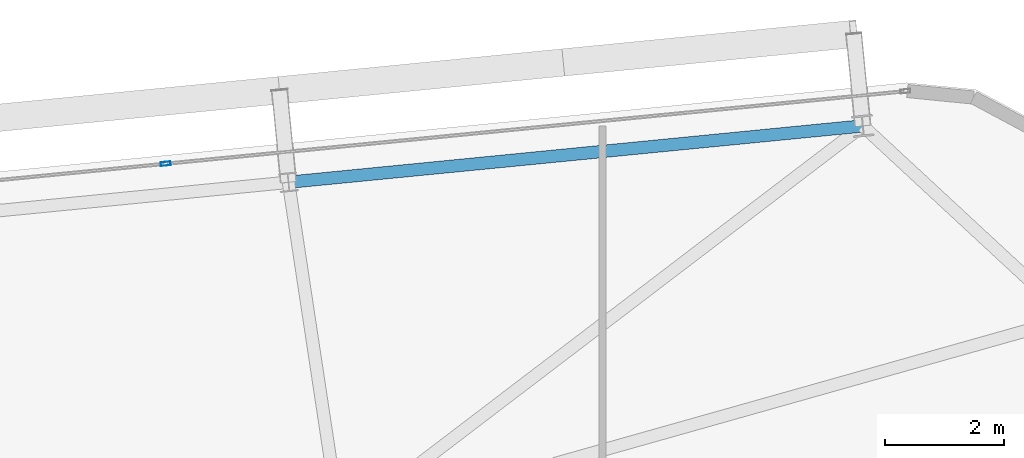
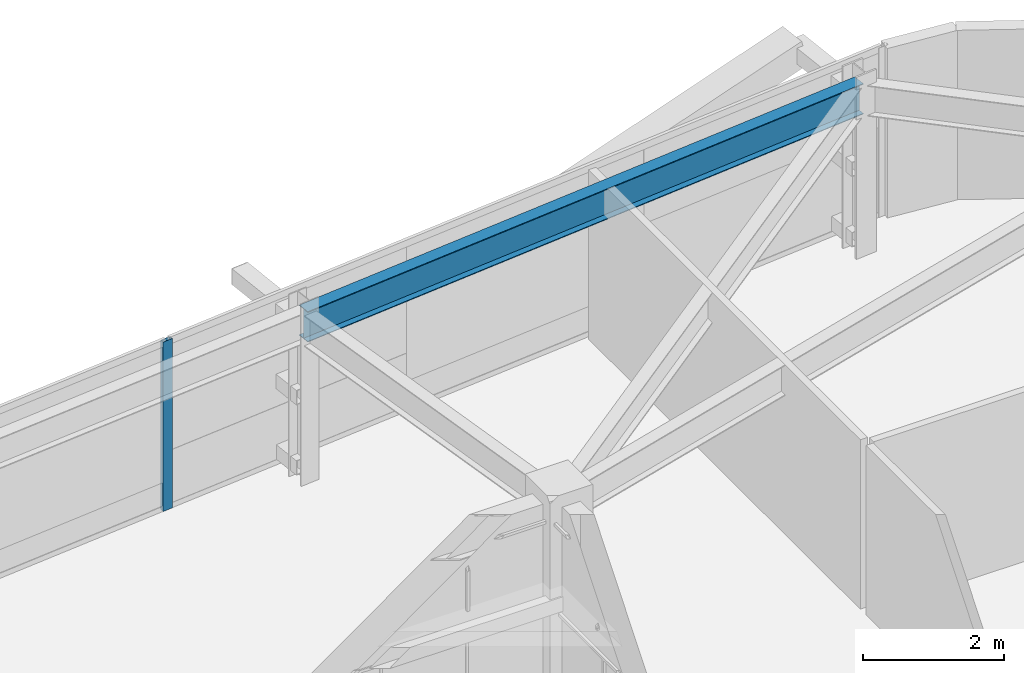
# One storey, part 29 of 47: 1 beam, 1 member, 1 element without a shape of its own.
"""IFC4 building model written with IfcOpenShell, lengths in metres."""

import ifcopenshell
import ifcopenshell.guid

model = None  # the IFC model being written
_history = None  # IfcOwnerHistory: only IFC2X3 demands one
_inside = {}  # id of a spatial element -> (the spatial element, [elements in it])
_under = {}  # id of a project, library or spatial element -> (it, [spatial elements below it])
_declared = {}  # id of a project -> (the project, [libraries it declares])
_typed = {}  # id of a type object -> (the type object, [elements of that type])
_made_of = {}  # id of a material, layer set ... -> (it, [elements and type objects made of it])


def new_model(schema):
    """Start an empty IFC model of exactly this schema.

    Asked for "IFC4X3", IfcOpenShell would pick the latest addendum, in which some entities
    have other attributes; the version numbers below select the first issue.
    IFC2X3 requires an IfcOwnerHistory on every rooted entity: one is made here for all.
    """
    global model, _history
    if schema == "IFC4X3":
        model = ifcopenshell.file(schema_version=(4, 3, 0, 0))
    else:
        model = ifcopenshell.file(schema=schema)
    _inside.clear()
    _under.clear()
    _declared.clear()
    _typed.clear()
    _made_of.clear()
    _history = None
    if model.schema == "IFC2X3":
        org = make("IfcOrganization", Name="unknown")
        user = make(
            "IfcPersonAndOrganization",
            ThePerson=make("IfcPerson", FamilyName="unknown"),
            TheOrganization=org,
        )
        app = make(
            "IfcApplication",
            ApplicationDeveloper=org,
            Version="unknown",
            ApplicationFullName="unknown",
            ApplicationIdentifier="unknown",
        )
        _history = make(
            "IfcOwnerHistory",
            OwningUser=user,
            OwningApplication=app,
            ChangeAction="ADDED",
            CreationDate=0,
        )
    return model


def make(cls, **values):
    """One entity of the class cls with the attributes given. An attribute that is None is left unset."""
    return model.create_entity(
        cls, **{name: value for name, value in values.items() if value is not None}
    )


def rooted(cls, **values):
    """An entity with a GlobalId (a new one), such as an element, a storey or a relation."""
    return make(cls, GlobalId=ifcopenshell.guid.new(), OwnerHistory=_history, **values)


def si_unit(unit_type, name, prefix=None):
    """IfcSIUnit, for example si_unit("LENGTHUNIT", "METRE", prefix="MILLI")."""
    return make("IfcSIUnit", UnitType=unit_type, Prefix=prefix, Name=name)


def assignment(units):
    """IfcUnitAssignment: the units of a project."""
    return None if units is None else make("IfcUnitAssignment", Units=units)


def point(xyz):
    """IfcCartesianPoint."""
    return None if xyz is None else make("IfcCartesianPoint", Coordinates=xyz)


def direction(xyz):
    """IfcDirection."""
    return None if xyz is None else make("IfcDirection", DirectionRatios=xyz)


def frame(location, z_axis=None, x_axis=None):
    """IfcAxis2Placement3D, a coordinate frame: its origin and axes. An axis left out is left unset."""
    return make(
        "IfcAxis2Placement3D",
        Location=point(location),
        Axis=direction(z_axis),
        RefDirection=direction(x_axis),
    )


def frame_2d(location, x_axis=None):
    """IfcAxis2Placement2D, a coordinate frame in the plane: its origin and x axis."""
    return make(
        "IfcAxis2Placement2D", Location=point(location), RefDirection=direction(x_axis)
    )


def origin():
    """The frame at (0, 0, 0) with its axes left unset."""
    return frame((0.0, 0.0, 0.0))


def origin_2d():
    """The frame at (0, 0) in the plane with its x axis left unset."""
    return frame_2d((0.0, 0.0))


def place(relative_to, where):
    """IfcLocalPlacement: puts the frame where relative to a parent placement (None: the world)."""
    return make(
        "IfcLocalPlacement", PlacementRelTo=relative_to, RelativePlacement=where
    )


def context(
    kind, dimensions, precision=None, world=None, true_north=None, identifier=None
):
    """IfcGeometricRepresentationContext, for example the 3D "Model" context."""
    return make(
        "IfcGeometricRepresentationContext",
        ContextIdentifier=identifier,
        ContextType=kind,
        CoordinateSpaceDimension=dimensions,
        Precision=precision,
        WorldCoordinateSystem=world,
        TrueNorth=true_north,
    )


def subcontext(parent, identifier, kind, view, scale=None):
    """IfcGeometricRepresentationSubContext, for example "Body" below "Model"."""
    return make(
        "IfcGeometricRepresentationSubContext",
        ContextIdentifier=identifier,
        ContextType=kind,
        ParentContext=parent,
        TargetScale=scale,
        TargetView=view,
    )


def project(units=None, contexts=None):
    """IfcProject with its units and contexts."""
    return rooted(
        "IfcProject",
        Name="project",
        RepresentationContexts=contexts,
        UnitsInContext=assignment(units),
    )


def spatial(cls, under=None, at=None, **own):
    """A site, building, storey or space (cls), placed at a placement, below another one or the project."""
    s = rooted(cls, ObjectPlacement=at, **own)
    if under is not None:
        _under.setdefault(under.id(), (under, []))[1].append(s)
    return s


def profile(cls, at=None, kind="AREA", **sizes):
    """A parametric profile (cls). Its sizes go by their IFC names, for example OverallWidth=200.0."""
    return make(cls, ProfileType=kind, Position=at, **sizes)


def hollow_rectangle(**sizes):
    """IfcRectangleHollowProfileDef."""
    return profile("IfcRectangleHollowProfileDef", **sizes)


def i_section(**sizes):
    """IfcIShapeProfileDef."""
    return profile("IfcIShapeProfileDef", **sizes)


def extrude(swept, where, along, depth):
    """IfcExtrudedAreaSolid: the profile swept, set in the frame where, extruded along a direction by depth."""
    return make(
        "IfcExtrudedAreaSolid",
        SweptArea=swept,
        Position=where,
        ExtrudedDirection=direction(along),
        Depth=depth,
    )


def shape(context_of_items, identifier, shape_type, items):
    """IfcShapeRepresentation: the items that make up one representation, for example the "Body"."""
    return make(
        "IfcShapeRepresentation",
        ContextOfItems=context_of_items,
        RepresentationIdentifier=identifier,
        RepresentationType=shape_type,
        Items=items,
    )


def source(mapping_origin, context_of_items, identifier, shape_type, items):
    """IfcRepresentationMap: a shape defined once, which mapped items show again and again."""
    return make(
        "IfcRepresentationMap",
        MappingOrigin=mapping_origin,
        MappedRepresentation=shape(context_of_items, identifier, shape_type, items),
    )


def transform(
    local_origin,
    x_axis=None,
    y_axis=None,
    z_axis=None,
    scale=None,
    scale2=None,
    scale3=None,
    uniform=True,
):
    """IfcCartesianTransformationOperator3D, or its non-uniform kind. x_axis, y_axis, z_axis: its Axis1, 2, 3."""
    if uniform:
        return make(
            "IfcCartesianTransformationOperator3D",
            Axis1=direction(x_axis),
            Axis2=direction(y_axis),
            LocalOrigin=point(local_origin),
            Scale=scale,
            Axis3=direction(z_axis),
        )
    return make(
        "IfcCartesianTransformationOperator3DnonUniform",
        Axis1=direction(x_axis),
        Axis2=direction(y_axis),
        LocalOrigin=point(local_origin),
        Scale=scale,
        Axis3=direction(z_axis),
        Scale2=scale2,
        Scale3=scale3,
    )


def mapped(mapping_source, mapping_target):
    """IfcMappedItem: shows the shape of a source again, moved by a transform."""
    return make(
        "IfcMappedItem", MappingSource=mapping_source, MappingTarget=mapping_target
    )


def material(Name=None, Category=None):
    """IfcMaterial."""
    return make("IfcMaterial", Name=Name, Category=Category)


def layer(
    of_material, thickness, ventilated=None, Name=None, Category=None, Priority=None
):
    """IfcMaterialLayer: one layer of a wall or slab, of a material (None: an air gap)."""
    return make(
        "IfcMaterialLayer",
        Material=of_material,
        LayerThickness=thickness,
        IsVentilated=ventilated,
        Name=Name,
        Category=Category,
        Priority=Priority,
    )


def layer_set(layers, Name=None):
    """IfcMaterialLayerSet."""
    return make("IfcMaterialLayerSet", MaterialLayers=layers, LayerSetName=Name)


def material_profile(
    of_material, cross_section, Name=None, Category=None, Priority=None
):
    """IfcMaterialProfile: a cross section and its material."""
    return make(
        "IfcMaterialProfile",
        Name=Name,
        Material=of_material,
        Profile=cross_section,
        Priority=Priority,
        Category=Category,
    )


def profile_set(profiles, Name=None, composite=None):
    """IfcMaterialProfileSet."""
    return make(
        "IfcMaterialProfileSet",
        Name=Name,
        MaterialProfiles=profiles,
        CompositeProfile=composite,
    )


def made_of(thing, what):
    """Note that an element or type object is made of a material, layer set ...; save() writes the relation."""
    if what is not None:
        _made_of.setdefault(what.id(), (what, []))[1].append(thing)
    return thing


def type_object(cls, material=None, **own):
    """A type object (cls), such as IfcWallType, which elements share."""
    return made_of(rooted(cls, **own), material)


def element(
    cls,
    number,
    at=None,
    inside=None,
    cuts=None,
    type_object=None,
    material=None,
    context=None,
    identifier="Body",
    shape_type=None,
    held_by="IfcProductDefinitionShape",
    body=None,
    shapes=None,
    **own,
):
    """One element of the class cls, such as IfcWall. Its Tag is "e" and its number.

    at: its placement. inside: the storey or other place that contains it. cuts: it is an
    opening in that element (IfcRelVoidsElement). A single representation is given by context,
    identifier, shape_type and body (its items); several are given by shapes. held_by: the class
    of the entity that holds the representations. save() writes the other relations.
    """
    e = rooted(cls, Tag="e%d" % number, ObjectPlacement=at, **own)
    if body is not None:
        shapes = [shape(context, identifier, shape_type, body)]
    if shapes is not None:
        e.Representation = make(held_by, Representations=shapes)
    if inside is not None:
        _inside.setdefault(inside.id(), (inside, []))[1].append(e)
    if cuts is not None:
        rooted(
            "IfcRelVoidsElement", RelatingBuildingElement=cuts, RelatedOpeningElement=e
        )
    if type_object is not None:
        _typed.setdefault(type_object.id(), (type_object, []))[1].append(e)
    return made_of(e, material)


def aggregate(whole, parts):
    """IfcRelAggregates: a whole, such as a stair, and the parts it consists of."""
    return rooted("IfcRelAggregates", RelatingObject=whole, RelatedObjects=parts)


def save(model, path):
    """Write the relations noted so far, then the file.

    IfcRelAggregates (storeys below a building ...), IfcRelContainedInSpatialStructure (elements
    in a storey), IfcRelDefinesByType, IfcRelAssociatesMaterial and IfcRelDeclares: one each for
    every whole, place, type object, material and project.
    """
    for whole, parts in _under.values():
        aggregate(whole, parts)
    for where, things in _inside.values():
        rooted(
            "IfcRelContainedInSpatialStructure",
            RelatedElements=things,
            RelatingStructure=where,
        )
    for kind, things in _typed.values():
        rooted("IfcRelDefinesByType", RelatedObjects=things, RelatingType=kind)
    for what, things in _made_of.values():
        rooted("IfcRelAssociatesMaterial", RelatedObjects=things, RelatingMaterial=what)
    for by, libraries in _declared.values():
        rooted("IfcRelDeclares", RelatingContext=by, RelatedDefinitions=libraries)
    model.write(path)


model = new_model("IFC4")

# Units and contexts
model_context = context("Model", 3, precision=1e-05, world=origin(), true_north=direction((0.0, 1.0)))
body_context = subcontext(model_context, "Body", "Model", "MODEL_VIEW")
ifc_project = project(units=[si_unit("LENGTHUNIT", "METRE"), si_unit("AREAUNIT", "SQUARE_METRE"), si_unit("VOLUMEUNIT", "CUBIC_METRE"), si_unit("PLANEANGLEUNIT", "RADIAN"), si_unit("MASSUNIT", "GRAM", prefix="KILO")], contexts=[model_context])

# Site, building, storey
site_placement = place(None, origin())
site = spatial("IfcSite", under=ifc_project, at=site_placement, CompositionType="ELEMENT")
building_placement = place(site_placement, origin())
building = spatial("IfcBuilding", under=site, at=building_placement, Name="Taldren Reach Tower", CompositionType="ELEMENT")
storey_placement = place(building_placement, frame((0.0, 0.0, 106.050048828125)))
storey = spatial("IfcBuildingStorey", under=building, at=storey_placement, Name="L32", CompositionType="ELEMENT", Elevation=106.050048828125)

# Beam
ifc_material_1 = material(Name="Steel Gr 350 (350PLUS)", Category="steel")
ifc_material_profile_1 = material_profile(ifc_material_1, i_section(OverallWidth=0.208984375, OverallDepth=0.528076171875, WebThickness=0.009521484375, FlangeThickness=0.01318359375, at=origin_2d()), Name="530UB82.0")
ifc_profile_set_1 = profile_set([ifc_material_profile_1], Name="Steel Gr 350 (350PLUS)")
beam_type = type_object("IfcBeamType", Name="SP-UB530B", PredefinedType="SPANDREL", material=ifc_profile_set_1)
shared_shape_1 = source(origin(), body_context, "Body", "SweptSolid", [
    extrude(i_section(OverallWidth=0.208984375, OverallDepth=0.528076171875, WebThickness=0.009521484375, FlangeThickness=0.01318359375, at=origin_2d()), origin(), (0.0, 0.0, 1.0), 9.679931640625),
])
beam_placement = place(storey_placement, frame((59.765869140625, 38.679931640625, 2.666015625), z_axis=(-0.995227612658, -0.097580730699, 0.0), x_axis=(0.097580730699, -0.995227612658, 0.0)))
element("IfcBeam", 1, at=beam_placement, inside=storey, type_object=beam_type, Name="Perimeter spandrel B2 N6-N5 L32", PredefinedType="SPANDREL", context=body_context, shape_type="MappedRepresentation", body=[
    mapped(shared_shape_1, transform((0.0, 0.0, 0.0), scale=1.0)),
])

# Curtain wall, member
ifc_material_2 = material(Name="Aluminium and Low-E Glass Unitised System", Category="aluminium")
ifc_layer = layer(ifc_material_2, 0.159912109375)
ifc_layer_set = layer_set([ifc_layer], Name="Aluminium and Low-E Glass Unitised System")
curtain_wall_type = type_object("IfcCurtainWallType", Name="CW-SYS-3", PredefinedType="NOTDEFINED", material=ifc_layer_set)
curtain_wall_placement = place(storey_placement, origin())
curtain_wall = element("IfcCurtainWall", 2, at=curtain_wall_placement, inside=storey, type_object=curtain_wall_type, Name="Unitised curtain wall CW-L32-N", PredefinedType="NOTDEFINED")
ifc_material_3 = material(Name="Anodised Aluminium 6063-T6", Category="aluminium")
ifc_material_profile_2 = material_profile(ifc_material_3, hollow_rectangle(XDim=0.06494140625, YDim=0.1650390625, WallThickness=0.00390625, at=origin_2d()), Name="ALU-165x65x4RHS")
ifc_profile_set_2 = profile_set([ifc_material_profile_2], Name="Anodised Aluminium 6063-T6")
member_type = type_object("IfcMemberType", Name="CW-MUL-165", PredefinedType="MULLION", material=ifc_profile_set_2)
shared_shape_2 = source(origin(), body_context, "Body", "SweptSolid", [
    extrude(hollow_rectangle(XDim=0.06494140625, YDim=0.1650390625, WallThickness=0.00390625, at=origin_2d()), origin(), (0.0, 0.0, 1.0), 2.929931640625),
])
member_placement = place(storey_placement, frame((48.072021484375, 38.045654296875, 0.0), z_axis=(0.0, 0.0, 1.0), x_axis=(0.097582999046, -0.995227390247, 0.0)))
member = element("IfcMember", 3, at=member_placement, type_object=member_type, Name="CW-3 mullion 2", PredefinedType="MULLION", context=body_context, shape_type="MappedRepresentation", body=[
    mapped(shared_shape_2, transform((0.0, 0.0, 0.0), scale=1.0)),
])
aggregate(curtain_wall, [member])

save(model, "model.ifc")
